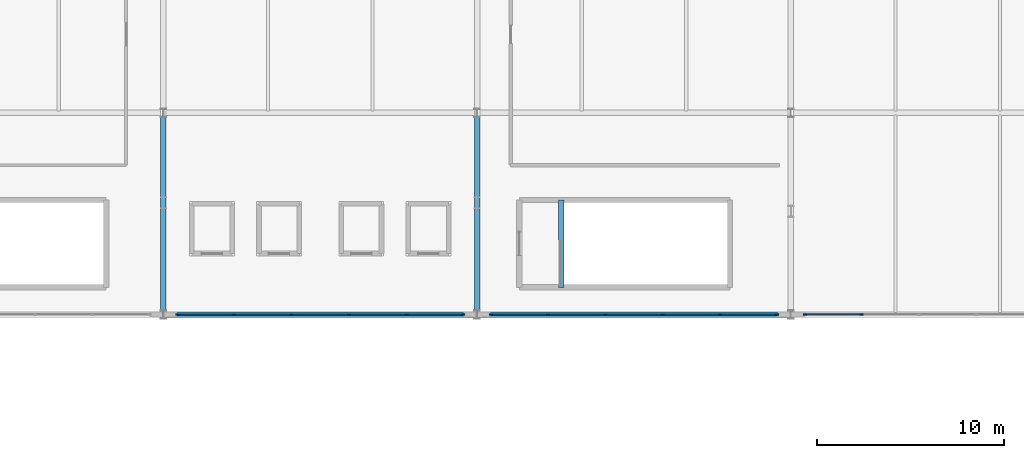
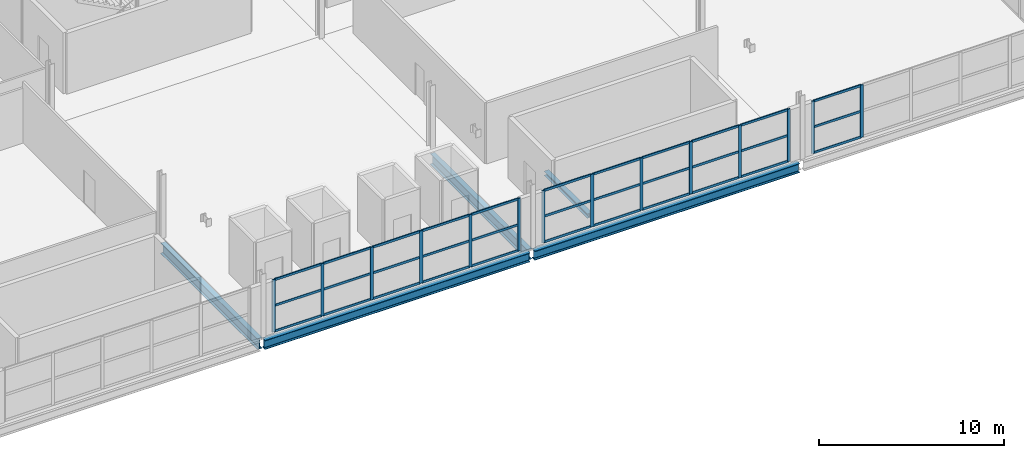
# One storey, part 8 of 39: 47 members, 5 beams, 3 elements without a shape of their own.
"""IFC4 building model written with IfcOpenShell, lengths in metres."""

from ifc_helpers import new_model, si_unit, direction, frame, origin, origin_2d, place, context, subcontext, project, spatial, rectangle, i_section, extrude, material, material_profile, profile_set, type_object, element, aggregate, save


model = new_model("IFC4")

# Units and contexts
model_context = context("Model", 3, precision=1e-05, world=origin(), true_north=direction((0.0, 1.0)))
body_context = subcontext(model_context, "Body", "Model", "MODEL_VIEW")
ifc_project = project(units=[si_unit("LENGTHUNIT", "METRE"), si_unit("AREAUNIT", "SQUARE_METRE"), si_unit("VOLUMEUNIT", "CUBIC_METRE"), si_unit("PLANEANGLEUNIT", "RADIAN"), si_unit("MASSUNIT", "GRAM", prefix="KILO")], contexts=[model_context])

# Site, building, storey
site_placement = place(None, origin())
site = spatial("IfcSite", under=ifc_project, at=site_placement, CompositionType="ELEMENT")
building_placement = place(site_placement, origin())
building = spatial("IfcBuilding", under=site, at=building_placement, Name="Kimbaza Rail Terminus", CompositionType="ELEMENT")
storey_placement = place(building_placement, frame((0.0, 0.0, 16.800048828125)))
storey = spatial("IfcBuildingStorey", under=building, at=storey_placement, Name="L03", CompositionType="ELEMENT", Elevation=16.800048828125)

# Curtain wall, members
ifc_material_1 = material(Name="Anodised aluminium framing and solar low-E glazing", Category="aluminium")
curtain_wall_type = type_object("IfcCurtainWallType", Name="ARC-CW-BRG", PredefinedType="USERDEFINED", material=ifc_material_1)
curtain_wall_1_placement = place(storey_placement, origin())
curtain_wall_1 = element("IfcCurtainWall", 1, at=curtain_wall_1_placement, inside=storey, type_object=curtain_wall_type, Name="Over-Track Footbridge South Curtain Wall 3", ObjectType="UNITISED CURTAIN WALL", PredefinedType="USERDEFINED")
ifc_material_2 = material(Name="Anodised architectural aluminium", Category="aluminium")
ifc_material_profile_1 = material_profile(ifc_material_2, rectangle(XDim=0.068115234375, YDim=0.18994140625, at=origin_2d()), Name="MULLION 68x190")
ifc_profile_set_1 = profile_set([ifc_material_profile_1], Name="Anodised architectural aluminium")
member_type_1 = type_object("IfcMemberType", Name="ARC-CWM-03", PredefinedType="MULLION", material=ifc_profile_set_1)
member_1_placement = place(storey_placement, frame((106.35400390625, 80.199951171875, 0.0), z_axis=(0.0, 0.0, 1.0), x_axis=(0.0, 1.0, 0.0)))
member_1 = element("IfcMember", 2, at=member_1_placement, type_object=member_type_1, Name="CW-03 mullion 1", PredefinedType="MULLION", context=body_context, shape_type="SweptSolid", body=[
    extrude(rectangle(XDim=0.068115234375, YDim=0.18994140625, at=origin_2d()), origin(), (0.0, 0.0, 1.0), 3.449951171875),
])
member_2_placement = place(storey_placement, frame((109.39208984375, 80.199951171875, 0.0), z_axis=(0.0, 0.0, 1.0), x_axis=(0.0, 1.0, 0.0)))
member_2 = element("IfcMember", 3, at=member_2_placement, type_object=member_type_1, Name="CW-03 mullion 2", PredefinedType="MULLION", context=body_context, shape_type="SweptSolid", body=[
    extrude(rectangle(XDim=0.068115234375, YDim=0.18994140625, at=origin_2d()), origin(), (0.0, 0.0, 1.0), 3.449951171875),
])
member_3_placement = place(storey_placement, frame((112.464111328125, 80.199951171875, 0.0), z_axis=(0.0, 0.0, 1.0), x_axis=(0.0, 1.0, 0.0)))
member_3 = element("IfcMember", 4, at=member_3_placement, type_object=member_type_1, Name="CW-03 mullion 3", PredefinedType="MULLION", context=body_context, shape_type="SweptSolid", body=[
    extrude(rectangle(XDim=0.068115234375, YDim=0.18994140625, at=origin_2d()), origin(), (0.0, 0.0, 1.0), 3.449951171875),
])
member_4_placement = place(storey_placement, frame((115.535888671875, 80.199951171875, 0.0), z_axis=(0.0, 0.0, 1.0), x_axis=(0.0, 1.0, 0.0)))
member_4 = element("IfcMember", 5, at=member_4_placement, type_object=member_type_1, Name="CW-03 mullion 4", PredefinedType="MULLION", context=body_context, shape_type="SweptSolid", body=[
    extrude(rectangle(XDim=0.068115234375, YDim=0.18994140625, at=origin_2d()), origin(), (0.0, 0.0, 1.0), 3.449951171875),
])
member_5_placement = place(storey_placement, frame((118.60791015625, 80.199951171875, 0.0), z_axis=(0.0, 0.0, 1.0), x_axis=(0.0, 1.0, 0.0)))
member_5 = element("IfcMember", 6, at=member_5_placement, type_object=member_type_1, Name="CW-03 mullion 5", PredefinedType="MULLION", context=body_context, shape_type="SweptSolid", body=[
    extrude(rectangle(XDim=0.068115234375, YDim=0.18994140625, at=origin_2d()), origin(), (0.0, 0.0, 1.0), 3.449951171875),
])
member_6_placement = place(storey_placement, frame((121.64599609375, 80.199951171875, 0.0), z_axis=(0.0, 0.0, 1.0), x_axis=(0.0, 1.0, 0.0)))
member_6 = element("IfcMember", 7, at=member_6_placement, type_object=member_type_1, Name="CW-03 mullion 6", PredefinedType="MULLION", context=body_context, shape_type="SweptSolid", body=[
    extrude(rectangle(XDim=0.068115234375, YDim=0.18994140625, at=origin_2d()), origin(), (0.0, 0.0, 1.0), 3.449951171875),
])

curtain_wall_2_placement = place(storey_placement, origin())
curtain_wall_2 = element("IfcCurtainWall", 8, at=curtain_wall_2_placement, inside=storey, type_object=curtain_wall_type, Name="Over-Track Footbridge South Curtain Wall 4", ObjectType="UNITISED CURTAIN WALL", PredefinedType="USERDEFINED")
member_7_placement = place(storey_placement, frame((123.154052734375, 80.199951171875, 0.0), z_axis=(0.0, 0.0, 1.0), x_axis=(0.0, 1.0, 0.0)))
member_7 = element("IfcMember", 9, at=member_7_placement, type_object=member_type_1, Name="CW-03 mullion 1", PredefinedType="MULLION", context=body_context, shape_type="SweptSolid", body=[
    extrude(rectangle(XDim=0.068115234375, YDim=0.18994140625, at=origin_2d()), origin(), (0.0, 0.0, 1.0), 3.449951171875),
])
member_8_placement = place(storey_placement, frame((126.19189453125, 80.199951171875, 0.0), z_axis=(0.0, 0.0, 1.0), x_axis=(0.0, 1.0, 0.0)))
member_8 = element("IfcMember", 10, at=member_8_placement, type_object=member_type_1, Name="CW-03 mullion 2", PredefinedType="MULLION", context=body_context, shape_type="SweptSolid", body=[
    extrude(rectangle(XDim=0.068115234375, YDim=0.18994140625, at=origin_2d()), origin(), (0.0, 0.0, 1.0), 3.449951171875),
])
member_9_placement = place(storey_placement, frame((129.263916015625, 80.199951171875, 0.0), z_axis=(0.0, 0.0, 1.0), x_axis=(0.0, 1.0, 0.0)))
member_9 = element("IfcMember", 11, at=member_9_placement, type_object=member_type_1, Name="CW-03 mullion 3", PredefinedType="MULLION", context=body_context, shape_type="SweptSolid", body=[
    extrude(rectangle(XDim=0.068115234375, YDim=0.18994140625, at=origin_2d()), origin(), (0.0, 0.0, 1.0), 3.449951171875),
])
member_10_placement = place(storey_placement, frame((132.3359375, 80.199951171875, 0.0), z_axis=(0.0, 0.0, 1.0), x_axis=(0.0, 1.0, 0.0)))
member_10 = element("IfcMember", 12, at=member_10_placement, type_object=member_type_1, Name="CW-03 mullion 4", PredefinedType="MULLION", context=body_context, shape_type="SweptSolid", body=[
    extrude(rectangle(XDim=0.068115234375, YDim=0.18994140625, at=origin_2d()), origin(), (0.0, 0.0, 1.0), 3.449951171875),
])
member_11_placement = place(storey_placement, frame((135.407958984375, 80.199951171875, 0.0), z_axis=(0.0, 0.0, 1.0), x_axis=(0.0, 1.0, 0.0)))
member_11 = element("IfcMember", 13, at=member_11_placement, type_object=member_type_1, Name="CW-03 mullion 5", PredefinedType="MULLION", context=body_context, shape_type="SweptSolid", body=[
    extrude(rectangle(XDim=0.068115234375, YDim=0.18994140625, at=origin_2d()), origin(), (0.0, 0.0, 1.0), 3.449951171875),
])
member_12_placement = place(storey_placement, frame((138.446044921875, 80.199951171875, 0.0), z_axis=(0.0, 0.0, 1.0), x_axis=(0.0, 1.0, 0.0)))
member_12 = element("IfcMember", 14, at=member_12_placement, type_object=member_type_1, Name="CW-03 mullion 6", PredefinedType="MULLION", context=body_context, shape_type="SweptSolid", body=[
    extrude(rectangle(XDim=0.068115234375, YDim=0.18994140625, at=origin_2d()), origin(), (0.0, 0.0, 1.0), 3.449951171875),
])

curtain_wall_3_placement = place(storey_placement, origin())
curtain_wall_3 = element("IfcCurtainWall", 15, at=curtain_wall_3_placement, inside=storey, type_object=curtain_wall_type, Name="Over-Track Footbridge South Curtain Wall 5", ObjectType="UNITISED CURTAIN WALL", PredefinedType="USERDEFINED")
member_13_placement = place(storey_placement, frame((139.9541015625, 80.199951171875, 0.0), z_axis=(0.0, 0.0, 1.0), x_axis=(0.0, 1.0, 0.0)))
member_13 = element("IfcMember", 16, at=member_13_placement, type_object=member_type_1, Name="CW-03 mullion 1", PredefinedType="MULLION", context=body_context, shape_type="SweptSolid", body=[
    extrude(rectangle(XDim=0.068115234375, YDim=0.18994140625, at=origin_2d()), origin(), (0.0, 0.0, 1.0), 3.449951171875),
])
member_14_placement = place(storey_placement, frame((142.991943359375, 80.199951171875, 0.0), z_axis=(0.0, 0.0, 1.0), x_axis=(0.0, 1.0, 0.0)))
member_14 = element("IfcMember", 17, at=member_14_placement, type_object=member_type_1, Name="CW-03 mullion 2", PredefinedType="MULLION", context=body_context, shape_type="SweptSolid", body=[
    extrude(rectangle(XDim=0.068115234375, YDim=0.18994140625, at=origin_2d()), origin(), (0.0, 0.0, 1.0), 3.449951171875),
])

# Member
ifc_material_3 = material(Name="Anodised architectural aluminium", Category="aluminium")
ifc_material_profile_2 = material_profile(ifc_material_3, rectangle(XDim=0.068115234375, YDim=0.14990234375, at=origin_2d()), Name="TRANSOM 68x150")
ifc_profile_set_2 = profile_set([ifc_material_profile_2], Name="Anodised architectural aluminium")
member_type_2 = type_object("IfcMemberType", Name="ARC-CWT-03", PredefinedType="USERDEFINED", material=ifc_profile_set_2)
member_15_placement = place(storey_placement, frame((106.387939453125, 80.199951171875, 0.033935546875), z_axis=(1.0, 0.0, 0.0), x_axis=(0.0, 1.0, 0.0)))
member_15 = element("IfcMember", 18, at=member_15_placement, type_object=member_type_2, Name="CW-03 transom 1.1", ObjectType="TRANSOM", PredefinedType="USERDEFINED", context=body_context, shape_type="SweptSolid", body=[
    extrude(rectangle(XDim=0.068115234375, YDim=0.14990234375, at=origin_2d()), origin(), (0.0, 0.0, 1.0), 2.969970703125),
])

member_16_placement = place(storey_placement, frame((106.387939453125, 80.199951171875, 1.724853515625), z_axis=(1.0, 0.0, 0.0), x_axis=(0.0, 1.0, 0.0)))
member_16 = element("IfcMember", 19, at=member_16_placement, type_object=member_type_2, Name="CW-03 transom 1.2", ObjectType="TRANSOM", PredefinedType="USERDEFINED", context=body_context, shape_type="SweptSolid", body=[
    extrude(rectangle(XDim=0.068115234375, YDim=0.14990234375, at=origin_2d()), origin(), (0.0, 0.0, 1.0), 2.969970703125),
])

member_17_placement = place(storey_placement, frame((106.387939453125, 80.199951171875, 3.416015625), z_axis=(1.0, 0.0, 0.0), x_axis=(0.0, 1.0, 0.0)))
member_17 = element("IfcMember", 20, at=member_17_placement, type_object=member_type_2, Name="CW-03 transom 1.3", ObjectType="TRANSOM", PredefinedType="USERDEFINED", context=body_context, shape_type="SweptSolid", body=[
    extrude(rectangle(XDim=0.068115234375, YDim=0.14990234375, at=origin_2d()), origin(), (0.0, 0.0, 1.0), 2.969970703125),
])

member_18_placement = place(storey_placement, frame((109.426025390625, 80.199951171875, 0.033935546875), z_axis=(1.0, 0.0, 0.0), x_axis=(0.0, 1.0, 0.0)))
member_18 = element("IfcMember", 21, at=member_18_placement, type_object=member_type_2, Name="CW-03 transom 2.1", ObjectType="TRANSOM", PredefinedType="USERDEFINED", context=body_context, shape_type="SweptSolid", body=[
    extrude(rectangle(XDim=0.068115234375, YDim=0.14990234375, at=origin_2d()), origin(), (0.0, 0.0, 1.0), 3.00390625),
])

member_19_placement = place(storey_placement, frame((109.426025390625, 80.199951171875, 1.724853515625), z_axis=(1.0, 0.0, 0.0), x_axis=(0.0, 1.0, 0.0)))
member_19 = element("IfcMember", 22, at=member_19_placement, type_object=member_type_2, Name="CW-03 transom 2.2", ObjectType="TRANSOM", PredefinedType="USERDEFINED", context=body_context, shape_type="SweptSolid", body=[
    extrude(rectangle(XDim=0.068115234375, YDim=0.14990234375, at=origin_2d()), origin(), (0.0, 0.0, 1.0), 3.00390625),
])

member_20_placement = place(storey_placement, frame((109.426025390625, 80.199951171875, 3.416015625), z_axis=(1.0, 0.0, 0.0), x_axis=(0.0, 1.0, 0.0)))
member_20 = element("IfcMember", 23, at=member_20_placement, type_object=member_type_2, Name="CW-03 transom 2.3", ObjectType="TRANSOM", PredefinedType="USERDEFINED", context=body_context, shape_type="SweptSolid", body=[
    extrude(rectangle(XDim=0.068115234375, YDim=0.14990234375, at=origin_2d()), origin(), (0.0, 0.0, 1.0), 3.00390625),
])

member_21_placement = place(storey_placement, frame((112.498046875, 80.199951171875, 0.033935546875), z_axis=(1.0, 0.0, 0.0), x_axis=(0.0, 1.0, 0.0)))
member_21 = element("IfcMember", 24, at=member_21_placement, type_object=member_type_2, Name="CW-03 transom 3.1", ObjectType="TRANSOM", PredefinedType="USERDEFINED", context=body_context, shape_type="SweptSolid", body=[
    extrude(rectangle(XDim=0.068115234375, YDim=0.14990234375, at=origin_2d()), origin(), (0.0, 0.0, 1.0), 3.00390625),
])

member_22_placement = place(storey_placement, frame((112.498046875, 80.199951171875, 1.724853515625), z_axis=(1.0, 0.0, 0.0), x_axis=(0.0, 1.0, 0.0)))
member_22 = element("IfcMember", 25, at=member_22_placement, type_object=member_type_2, Name="CW-03 transom 3.2", ObjectType="TRANSOM", PredefinedType="USERDEFINED", context=body_context, shape_type="SweptSolid", body=[
    extrude(rectangle(XDim=0.068115234375, YDim=0.14990234375, at=origin_2d()), origin(), (0.0, 0.0, 1.0), 3.00390625),
])

member_23_placement = place(storey_placement, frame((112.498046875, 80.199951171875, 3.416015625), z_axis=(1.0, 0.0, 0.0), x_axis=(0.0, 1.0, 0.0)))
member_23 = element("IfcMember", 26, at=member_23_placement, type_object=member_type_2, Name="CW-03 transom 3.3", ObjectType="TRANSOM", PredefinedType="USERDEFINED", context=body_context, shape_type="SweptSolid", body=[
    extrude(rectangle(XDim=0.068115234375, YDim=0.14990234375, at=origin_2d()), origin(), (0.0, 0.0, 1.0), 3.00390625),
])

member_24_placement = place(storey_placement, frame((115.570068359375, 80.199951171875, 0.033935546875), z_axis=(1.0, 0.0, 0.0), x_axis=(0.0, 1.0, 0.0)))
member_24 = element("IfcMember", 27, at=member_24_placement, type_object=member_type_2, Name="CW-03 transom 4.1", ObjectType="TRANSOM", PredefinedType="USERDEFINED", context=body_context, shape_type="SweptSolid", body=[
    extrude(rectangle(XDim=0.068115234375, YDim=0.14990234375, at=origin_2d()), origin(), (0.0, 0.0, 1.0), 3.00390625),
])

member_25_placement = place(storey_placement, frame((115.570068359375, 80.199951171875, 1.724853515625), z_axis=(1.0, 0.0, 0.0), x_axis=(0.0, 1.0, 0.0)))
member_25 = element("IfcMember", 28, at=member_25_placement, type_object=member_type_2, Name="CW-03 transom 4.2", ObjectType="TRANSOM", PredefinedType="USERDEFINED", context=body_context, shape_type="SweptSolid", body=[
    extrude(rectangle(XDim=0.068115234375, YDim=0.14990234375, at=origin_2d()), origin(), (0.0, 0.0, 1.0), 3.00390625),
])

member_26_placement = place(storey_placement, frame((115.570068359375, 80.199951171875, 3.416015625), z_axis=(1.0, 0.0, 0.0), x_axis=(0.0, 1.0, 0.0)))
member_26 = element("IfcMember", 29, at=member_26_placement, type_object=member_type_2, Name="CW-03 transom 4.3", ObjectType="TRANSOM", PredefinedType="USERDEFINED", context=body_context, shape_type="SweptSolid", body=[
    extrude(rectangle(XDim=0.068115234375, YDim=0.14990234375, at=origin_2d()), origin(), (0.0, 0.0, 1.0), 3.00390625),
])

member_27_placement = place(storey_placement, frame((118.64208984375, 80.199951171875, 0.033935546875), z_axis=(1.0, 0.0, 0.0), x_axis=(0.0, 1.0, 0.0)))
member_27 = element("IfcMember", 30, at=member_27_placement, type_object=member_type_2, Name="CW-03 transom 5.1", ObjectType="TRANSOM", PredefinedType="USERDEFINED", context=body_context, shape_type="SweptSolid", body=[
    extrude(rectangle(XDim=0.068115234375, YDim=0.14990234375, at=origin_2d()), origin(), (0.0, 0.0, 1.0), 2.969970703125),
])

member_28_placement = place(storey_placement, frame((118.64208984375, 80.199951171875, 1.724853515625), z_axis=(1.0, 0.0, 0.0), x_axis=(0.0, 1.0, 0.0)))
member_28 = element("IfcMember", 31, at=member_28_placement, type_object=member_type_2, Name="CW-03 transom 5.2", ObjectType="TRANSOM", PredefinedType="USERDEFINED", context=body_context, shape_type="SweptSolid", body=[
    extrude(rectangle(XDim=0.068115234375, YDim=0.14990234375, at=origin_2d()), origin(), (0.0, 0.0, 1.0), 2.969970703125),
])

member_29_placement = place(storey_placement, frame((118.64208984375, 80.199951171875, 3.416015625), z_axis=(1.0, 0.0, 0.0), x_axis=(0.0, 1.0, 0.0)))
member_29 = element("IfcMember", 32, at=member_29_placement, type_object=member_type_2, Name="CW-03 transom 5.3", ObjectType="TRANSOM", PredefinedType="USERDEFINED", context=body_context, shape_type="SweptSolid", body=[
    extrude(rectangle(XDim=0.068115234375, YDim=0.14990234375, at=origin_2d()), origin(), (0.0, 0.0, 1.0), 2.969970703125),
])

aggregate(curtain_wall_1, [member_1, member_2, member_3, member_4, member_5, member_6, member_15, member_16, member_17, member_18, member_19, member_20, member_21, member_22, member_23, member_24, member_25, member_26, member_27, member_28, member_29])

member_30_placement = place(storey_placement, frame((123.18798828125, 80.199951171875, 0.033935546875), z_axis=(1.0, 0.0, 0.0), x_axis=(0.0, 1.0, 0.0)))
member_30 = element("IfcMember", 33, at=member_30_placement, type_object=member_type_2, Name="CW-03 transom 1.1", ObjectType="TRANSOM", PredefinedType="USERDEFINED", context=body_context, shape_type="SweptSolid", body=[
    extrude(rectangle(XDim=0.068115234375, YDim=0.14990234375, at=origin_2d()), origin(), (0.0, 0.0, 1.0), 2.969970703125),
])

member_31_placement = place(storey_placement, frame((123.18798828125, 80.199951171875, 1.724853515625), z_axis=(1.0, 0.0, 0.0), x_axis=(0.0, 1.0, 0.0)))
member_31 = element("IfcMember", 34, at=member_31_placement, type_object=member_type_2, Name="CW-03 transom 1.2", ObjectType="TRANSOM", PredefinedType="USERDEFINED", context=body_context, shape_type="SweptSolid", body=[
    extrude(rectangle(XDim=0.068115234375, YDim=0.14990234375, at=origin_2d()), origin(), (0.0, 0.0, 1.0), 2.969970703125),
])

member_32_placement = place(storey_placement, frame((123.18798828125, 80.199951171875, 3.416015625), z_axis=(1.0, 0.0, 0.0), x_axis=(0.0, 1.0, 0.0)))
member_32 = element("IfcMember", 35, at=member_32_placement, type_object=member_type_2, Name="CW-03 transom 1.3", ObjectType="TRANSOM", PredefinedType="USERDEFINED", context=body_context, shape_type="SweptSolid", body=[
    extrude(rectangle(XDim=0.068115234375, YDim=0.14990234375, at=origin_2d()), origin(), (0.0, 0.0, 1.0), 2.969970703125),
])

member_33_placement = place(storey_placement, frame((126.22607421875, 80.199951171875, 0.033935546875), z_axis=(1.0, 0.0, 0.0), x_axis=(0.0, 1.0, 0.0)))
member_33 = element("IfcMember", 36, at=member_33_placement, type_object=member_type_2, Name="CW-03 transom 2.1", ObjectType="TRANSOM", PredefinedType="USERDEFINED", context=body_context, shape_type="SweptSolid", body=[
    extrude(rectangle(XDim=0.068115234375, YDim=0.14990234375, at=origin_2d()), origin(), (0.0, 0.0, 1.0), 3.00390625),
])

member_34_placement = place(storey_placement, frame((126.22607421875, 80.199951171875, 1.724853515625), z_axis=(1.0, 0.0, 0.0), x_axis=(0.0, 1.0, 0.0)))
member_34 = element("IfcMember", 37, at=member_34_placement, type_object=member_type_2, Name="CW-03 transom 2.2", ObjectType="TRANSOM", PredefinedType="USERDEFINED", context=body_context, shape_type="SweptSolid", body=[
    extrude(rectangle(XDim=0.068115234375, YDim=0.14990234375, at=origin_2d()), origin(), (0.0, 0.0, 1.0), 3.00390625),
])

member_35_placement = place(storey_placement, frame((126.22607421875, 80.199951171875, 3.416015625), z_axis=(1.0, 0.0, 0.0), x_axis=(0.0, 1.0, 0.0)))
member_35 = element("IfcMember", 38, at=member_35_placement, type_object=member_type_2, Name="CW-03 transom 2.3", ObjectType="TRANSOM", PredefinedType="USERDEFINED", context=body_context, shape_type="SweptSolid", body=[
    extrude(rectangle(XDim=0.068115234375, YDim=0.14990234375, at=origin_2d()), origin(), (0.0, 0.0, 1.0), 3.00390625),
])

member_36_placement = place(storey_placement, frame((129.298095703125, 80.199951171875, 0.033935546875), z_axis=(1.0, 0.0, 0.0), x_axis=(0.0, 1.0, 0.0)))
member_36 = element("IfcMember", 39, at=member_36_placement, type_object=member_type_2, Name="CW-03 transom 3.1", ObjectType="TRANSOM", PredefinedType="USERDEFINED", context=body_context, shape_type="SweptSolid", body=[
    extrude(rectangle(XDim=0.068115234375, YDim=0.14990234375, at=origin_2d()), origin(), (0.0, 0.0, 1.0), 3.00390625),
])

member_37_placement = place(storey_placement, frame((129.298095703125, 80.199951171875, 1.724853515625), z_axis=(1.0, 0.0, 0.0), x_axis=(0.0, 1.0, 0.0)))
member_37 = element("IfcMember", 40, at=member_37_placement, type_object=member_type_2, Name="CW-03 transom 3.2", ObjectType="TRANSOM", PredefinedType="USERDEFINED", context=body_context, shape_type="SweptSolid", body=[
    extrude(rectangle(XDim=0.068115234375, YDim=0.14990234375, at=origin_2d()), origin(), (0.0, 0.0, 1.0), 3.00390625),
])

member_38_placement = place(storey_placement, frame((129.298095703125, 80.199951171875, 3.416015625), z_axis=(1.0, 0.0, 0.0), x_axis=(0.0, 1.0, 0.0)))
member_38 = element("IfcMember", 41, at=member_38_placement, type_object=member_type_2, Name="CW-03 transom 3.3", ObjectType="TRANSOM", PredefinedType="USERDEFINED", context=body_context, shape_type="SweptSolid", body=[
    extrude(rectangle(XDim=0.068115234375, YDim=0.14990234375, at=origin_2d()), origin(), (0.0, 0.0, 1.0), 3.00390625),
])

member_39_placement = place(storey_placement, frame((132.3701171875, 80.199951171875, 0.033935546875), z_axis=(1.0, 0.0, 0.0), x_axis=(0.0, 1.0, 0.0)))
member_39 = element("IfcMember", 42, at=member_39_placement, type_object=member_type_2, Name="CW-03 transom 4.1", ObjectType="TRANSOM", PredefinedType="USERDEFINED", context=body_context, shape_type="SweptSolid", body=[
    extrude(rectangle(XDim=0.068115234375, YDim=0.14990234375, at=origin_2d()), origin(), (0.0, 0.0, 1.0), 3.00390625),
])

member_40_placement = place(storey_placement, frame((132.3701171875, 80.199951171875, 1.724853515625), z_axis=(1.0, 0.0, 0.0), x_axis=(0.0, 1.0, 0.0)))
member_40 = element("IfcMember", 43, at=member_40_placement, type_object=member_type_2, Name="CW-03 transom 4.2", ObjectType="TRANSOM", PredefinedType="USERDEFINED", context=body_context, shape_type="SweptSolid", body=[
    extrude(rectangle(XDim=0.068115234375, YDim=0.14990234375, at=origin_2d()), origin(), (0.0, 0.0, 1.0), 3.00390625),
])

member_41_placement = place(storey_placement, frame((132.3701171875, 80.199951171875, 3.416015625), z_axis=(1.0, 0.0, 0.0), x_axis=(0.0, 1.0, 0.0)))
member_41 = element("IfcMember", 44, at=member_41_placement, type_object=member_type_2, Name="CW-03 transom 4.3", ObjectType="TRANSOM", PredefinedType="USERDEFINED", context=body_context, shape_type="SweptSolid", body=[
    extrude(rectangle(XDim=0.068115234375, YDim=0.14990234375, at=origin_2d()), origin(), (0.0, 0.0, 1.0), 3.00390625),
])

member_42_placement = place(storey_placement, frame((135.44189453125, 80.199951171875, 0.033935546875), z_axis=(1.0, 0.0, 0.0), x_axis=(0.0, 1.0, 0.0)))
member_42 = element("IfcMember", 45, at=member_42_placement, type_object=member_type_2, Name="CW-03 transom 5.1", ObjectType="TRANSOM", PredefinedType="USERDEFINED", context=body_context, shape_type="SweptSolid", body=[
    extrude(rectangle(XDim=0.068115234375, YDim=0.14990234375, at=origin_2d()), origin(), (0.0, 0.0, 1.0), 2.97021484375),
])

member_43_placement = place(storey_placement, frame((135.44189453125, 80.199951171875, 1.724853515625), z_axis=(1.0, 0.0, 0.0), x_axis=(0.0, 1.0, 0.0)))
member_43 = element("IfcMember", 46, at=member_43_placement, type_object=member_type_2, Name="CW-03 transom 5.2", ObjectType="TRANSOM", PredefinedType="USERDEFINED", context=body_context, shape_type="SweptSolid", body=[
    extrude(rectangle(XDim=0.068115234375, YDim=0.14990234375, at=origin_2d()), origin(), (0.0, 0.0, 1.0), 2.97021484375),
])

member_44_placement = place(storey_placement, frame((135.44189453125, 80.199951171875, 3.416015625), z_axis=(1.0, 0.0, 0.0), x_axis=(0.0, 1.0, 0.0)))
member_44 = element("IfcMember", 47, at=member_44_placement, type_object=member_type_2, Name="CW-03 transom 5.3", ObjectType="TRANSOM", PredefinedType="USERDEFINED", context=body_context, shape_type="SweptSolid", body=[
    extrude(rectangle(XDim=0.068115234375, YDim=0.14990234375, at=origin_2d()), origin(), (0.0, 0.0, 1.0), 2.97021484375),
])

aggregate(curtain_wall_2, [member_7, member_8, member_9, member_10, member_11, member_12, member_30, member_31, member_32, member_33, member_34, member_35, member_36, member_37, member_38, member_39, member_40, member_41, member_42, member_43, member_44])

member_45_placement = place(storey_placement, frame((139.988037109375, 80.199951171875, 0.033935546875), z_axis=(1.0, 0.0, 0.0), x_axis=(0.0, 1.0, 0.0)))
member_45 = element("IfcMember", 48, at=member_45_placement, type_object=member_type_2, Name="CW-03 transom 1.1", ObjectType="TRANSOM", PredefinedType="USERDEFINED", context=body_context, shape_type="SweptSolid", body=[
    extrude(rectangle(XDim=0.068115234375, YDim=0.14990234375, at=origin_2d()), origin(), (0.0, 0.0, 1.0), 2.969970703125),
])

member_46_placement = place(storey_placement, frame((139.988037109375, 80.199951171875, 1.724853515625), z_axis=(1.0, 0.0, 0.0), x_axis=(0.0, 1.0, 0.0)))
member_46 = element("IfcMember", 49, at=member_46_placement, type_object=member_type_2, Name="CW-03 transom 1.2", ObjectType="TRANSOM", PredefinedType="USERDEFINED", context=body_context, shape_type="SweptSolid", body=[
    extrude(rectangle(XDim=0.068115234375, YDim=0.14990234375, at=origin_2d()), origin(), (0.0, 0.0, 1.0), 2.969970703125),
])

member_47_placement = place(storey_placement, frame((139.988037109375, 80.199951171875, 3.416015625), z_axis=(1.0, 0.0, 0.0), x_axis=(0.0, 1.0, 0.0)))
member_47 = element("IfcMember", 50, at=member_47_placement, type_object=member_type_2, Name="CW-03 transom 1.3", ObjectType="TRANSOM", PredefinedType="USERDEFINED", context=body_context, shape_type="SweptSolid", body=[
    extrude(rectangle(XDim=0.068115234375, YDim=0.14990234375, at=origin_2d()), origin(), (0.0, 0.0, 1.0), 2.969970703125),
])

aggregate(curtain_wall_3, [member_13, member_14, member_45, member_46, member_47])

# Beams
ifc_material_4 = material(Name="Steel S355", Category="steel")
ifc_material_profile_3 = material_profile(ifc_material_4, i_section(OverallWidth=0.300048828125, OverallDepth=0.2900390625, WebThickness=0.008544921875, FlangeThickness=0.013916015625, FilletRadius=0.027099609375, at=origin_2d()), Name="HEA 300")
ifc_profile_set_3 = profile_set([ifc_material_profile_3], Name="Steel S355")
beam_type_1 = type_object("IfcBeamType", Name="STR-BM-HEA300", PredefinedType="SPANDREL", material=ifc_profile_set_3)
beam_1_placement = place(storey_placement, frame((126.89990234375, 81.659912109375, -0.425048828125), z_axis=(0.0, 1.0, 0.0), x_axis=(-1.0, 0.0, 0.0)))
element("IfcBeam", 51, at=beam_1_placement, inside=storey, type_object=beam_type_1, Name="Footbridge East Platform Stair Landing Trimmer Beam L03", PredefinedType="SPANDREL", context=body_context, shape_type="SweptSolid", body=[
    extrude(i_section(OverallWidth=0.300048828125, OverallDepth=0.2900390625, WebThickness=0.008544921875, FlangeThickness=0.013916015625, FilletRadius=0.027099609375, at=origin_2d()), origin(), (0.0, 0.0, 1.0), 4.68017578125),
])
ifc_material_5 = material(Name="Steel S355", Category="steel")
ifc_material_profile_4 = material_profile(ifc_material_5, i_section(OverallWidth=0.300048828125, OverallDepth=0.60009765625, WebThickness=0.015380859375, FlangeThickness=0.030029296875, FilletRadius=0.027099609375, at=origin_2d()), Name="HEB 600")
ifc_profile_set_4 = profile_set([ifc_material_profile_4], Name="Steel S355")
beam_type_2 = type_object("IfcBeamType", Name="STR-BM-HEB600", PredefinedType="BEAM", material=ifc_profile_set_4)
beam_2_placement = place(storey_placement, frame((105.74609375, 80.199951171875, -0.580078125), z_axis=(1.0, 0.0, 0.0), x_axis=(0.0, 1.0, 0.0)))
element("IfcBeam", 52, at=beam_2_placement, inside=storey, type_object=beam_type_2, Name="Beam BM-BRGX-80-2", PredefinedType="BEAM", context=body_context, shape_type="SweptSolid", body=[
    extrude(i_section(OverallWidth=0.300048828125, OverallDepth=0.60009765625, WebThickness=0.015380859375, FlangeThickness=0.030029296875, FilletRadius=0.027099609375, at=origin_2d()), origin(), (0.0, 0.0, 1.0), 16.5078125),
])
beam_3_placement = place(storey_placement, frame((122.5458984375, 80.199951171875, -0.580078125), z_axis=(1.0, 0.0, 0.0), x_axis=(0.0, 1.0, 0.0)))
element("IfcBeam", 53, at=beam_3_placement, inside=storey, type_object=beam_type_2, Name="Beam BM-BRGX-80-3", PredefinedType="BEAM", context=body_context, shape_type="SweptSolid", body=[
    extrude(i_section(OverallWidth=0.300048828125, OverallDepth=0.60009765625, WebThickness=0.015380859375, FlangeThickness=0.030029296875, FilletRadius=0.027099609375, at=origin_2d()), origin(), (0.0, 0.0, 1.0), 16.508056640625),
])
ifc_material_6 = material(Name="Steel S355", Category="steel")
ifc_material_profile_5 = material_profile(ifc_material_6, i_section(OverallWidth=0.300048828125, OverallDepth=0.699951171875, WebThickness=0.01708984375, FlangeThickness=0.031982421875, FilletRadius=0.027099609375, at=origin_2d()), Name="HEB 700")
ifc_profile_set_5 = profile_set([ifc_material_profile_5], Name="Steel S355")
beam_type_3 = type_object("IfcBeamType", Name="STR-BM-HEB700", PredefinedType="USERDEFINED", material=ifc_profile_set_5)
for number, where, z_axis, x_axis, name in (
    (54, (105.60009765625, 80.375, -0.630126953125), (0.0, 1.0, 0.0), (-1.0, 0.0, 0.0), "Beam BM-BRGY-106-80"),
    (55, (122.39990234375, 80.375, -0.630126953125), (0.0, 1.0, 0.0), (-1.0, 0.0, 0.0), "Beam BM-BRGY-122-80"),
):
    element("IfcBeam", number, at=place(storey_placement, frame(where, z_axis=z_axis, x_axis=x_axis)), inside=storey, type_object=beam_type_3, Name=name, ObjectType="GIRDER", PredefinedType="USERDEFINED", context=body_context, shape_type="SweptSolid", body=[
        extrude(i_section(OverallWidth=0.300048828125, OverallDepth=0.699951171875, WebThickness=0.01708984375, FlangeThickness=0.031982421875, FilletRadius=0.027099609375, at=origin_2d()), origin(), (0.0, 0.0, 1.0), 10.449951171875),
    ])

save(model, "model.ifc")
